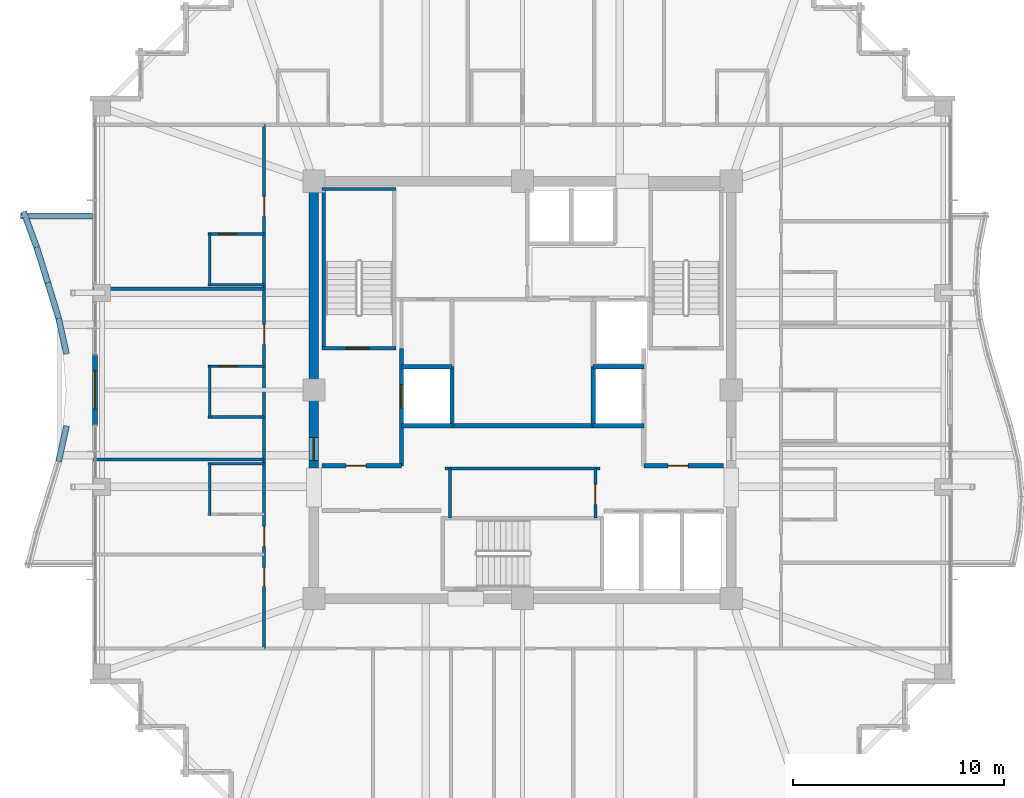
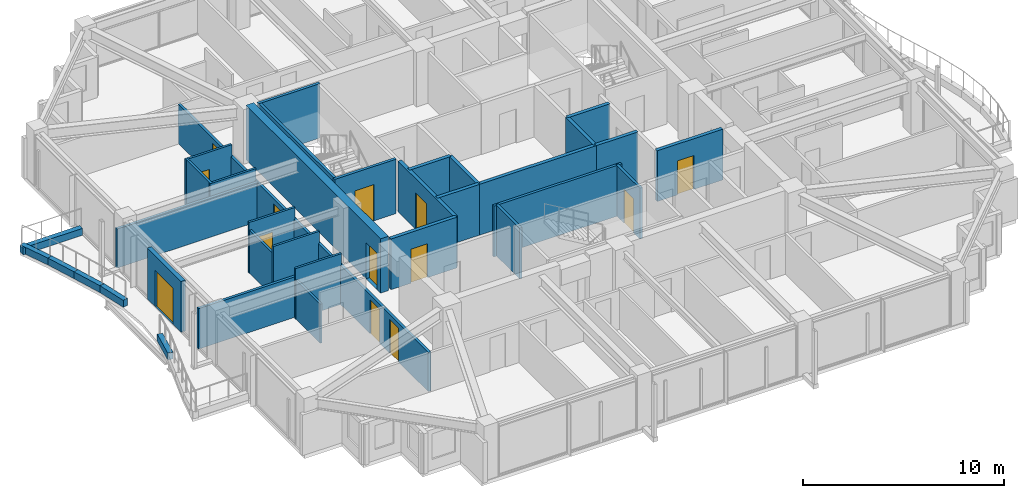
# One storey, part 30 of 35: 35 walls, 13 doors, 13 openings.
"""IFC4 building model written with IfcOpenShell, lengths in metres."""

from ifc_helpers import new_model, si_unit, direction, frame, frame_2d, origin, place, context, subcontext, project, spatial, rectangle, extrude, material, layer, layer_set, type_object, element, fill, save


model = new_model("IFC4")

# Units and contexts
model_context = context("Model", 3, precision=1e-05, world=origin(), true_north=direction((0.0, 1.0)))
body_context = subcontext(model_context, "Body", "Model", "MODEL_VIEW")
ifc_project = project(units=[si_unit("LENGTHUNIT", "METRE"), si_unit("AREAUNIT", "SQUARE_METRE"), si_unit("VOLUMEUNIT", "CUBIC_METRE"), si_unit("PLANEANGLEUNIT", "RADIAN"), si_unit("MASSUNIT", "GRAM", prefix="KILO")], contexts=[model_context])

# Site, building, storey
site_placement = place(None, origin())
site = spatial("IfcSite", under=ifc_project, at=site_placement, CompositionType="ELEMENT")
building_placement = place(site_placement, origin())
building = spatial("IfcBuilding", under=site, at=building_placement, Name="Kolvaren Belvedere", CompositionType="ELEMENT")
storey_placement = place(building_placement, frame((0.0, 0.0, 216.300048828125)))
storey = spatial("IfcBuildingStorey", under=building, at=storey_placement, Name="L63", CompositionType="ELEMENT", Elevation=216.300048828125)

# Wall, opening, door
ifc_material_1 = material(Name="Concrete C50/60", Category="concrete")
ifc_layer_1 = layer(ifc_material_1, 0.449951171875)
ifc_layer_set_1 = layer_set([ifc_layer_1], Name="Concrete C50/60")
wall_type_1 = type_object("IfcWallType", Name="CW-CORE-450", PredefinedType="SHEAR", material=ifc_layer_set_1)
wall_1_placement = place(storey_placement, frame((-9.89990234375, -3.699951171875, 0.0), z_axis=(0.0, 0.0, 1.0), x_axis=(0.0, 1.0, 0.0)))
wall_1 = element("IfcWall", 1, at=wall_1_placement, inside=storey, type_object=wall_type_1, Name="L63 West Core Shear Wall 2", PredefinedType="SHEAR", context=body_context, shape_type="SweptSolid", body=[
    extrude(rectangle(XDim=13.375, YDim=0.449951171875, at=frame_2d((6.6875, 0.0))), origin(), (0.0, 0.0, 1.0), 3.300048828125),
])
opening_1_placement = place(wall_1_placement, frame((0.35009765625, 0.0, 0.0)))
opening_1 = element("IfcOpeningElement", 2, at=opening_1_placement, cuts=wall_1, Name="Opening D-FD90", PredefinedType="OPENING", context=body_context, shape_type="SweptSolid", body=[
    extrude(rectangle(XDim=1.10009765625, YDim=2.199951171875, at=frame_2d((0.550048828125, 1.10009765625))), frame((0.0, 0.23486328125, 0.0), z_axis=(0.0, -1.0, 0.0), x_axis=(1.0, 0.0, 0.0)), (0.0, 0.0, 1.0), 0.469970703125),
])
ifc_material_2 = material(Name="Painted hollow stainless steel", Category="steel")
door_type_1 = type_object("IfcDoorType", Name="DR-FD90-1100", OperationType="NOTDEFINED", PredefinedType="DOOR", material=ifc_material_2)
door_1_placement = place(opening_1_placement, origin())
door_1 = element("IfcDoor", 3, at=door_1_placement, inside=storey, type_object=door_type_1, Name="L63 West Firefighting Lobby Fire Door", OperationType="SINGLE_SWING_LEFT", OverallHeight=2.199951171875, OverallWidth=1.10009765625, PredefinedType="DOOR", context=body_context, shape_type="SweptSolid", body=[
    extrude(rectangle(XDim=1.10009765625, YDim=2.199951171875, at=frame_2d((0.550048828125, 1.10009765625))), frame((0.0, 0.02490234375, 0.0), z_axis=(0.0, -1.0, 0.0), x_axis=(1.0, 0.0, 0.0)), (0.0, 0.0, 1.0), 0.050048828125),
])
fill(opening_1, door_1)

ifc_material_3 = material(Name="Concrete C50/60", Category="concrete")
ifc_layer_2 = layer(ifc_material_3, 0.159912109375)
ifc_layer_set_2 = layer_set([ifc_layer_2], Name="Concrete C50/60")
wall_type_2 = type_object("IfcWallType", Name="CW-STAIR-160", PredefinedType="SHEAR", material=ifc_layer_set_2)
wall_2_placement = place(storey_placement, frame((-9.52001953125, 1.969970703125, 0.0), z_axis=(0.0, 0.0, 1.0), x_axis=(1.0, 0.0, 0.0)))
wall_2 = element("IfcWall", 4, at=wall_2_placement, inside=storey, type_object=wall_type_2, Name="L63 Stair ST-1 South Shear Wall", PredefinedType="SHEAR", context=body_context, shape_type="SweptSolid", body=[
    extrude(rectangle(XDim=3.52001953125, YDim=0.159912109375, at=frame_2d((1.760009765625, 0.0))), origin(), (0.0, 0.0, 1.0), 3.300048828125),
])
opening_2_placement = place(wall_2_placement, frame((1.14990234375, 0.0, 0.0)))
opening_2 = element("IfcOpeningElement", 5, at=opening_2_placement, cuts=wall_2, Name="Opening D-FD90", PredefinedType="OPENING", context=body_context, shape_type="SweptSolid", body=[
    extrude(rectangle(XDim=1.10009765625, YDim=2.199951171875, at=frame_2d((0.550048828125, 1.10009765625))), frame((0.0, 0.08984375, 0.0), z_axis=(0.0, -1.0, 0.0), x_axis=(1.0, 0.0, 0.0)), (0.0, 0.0, 1.0), 0.179931640625),
])
door_2_placement = place(opening_2_placement, origin())
door_2 = element("IfcDoor", 6, at=door_2_placement, inside=storey, type_object=door_type_1, Name="L63 Stair ST-1 Fire Door", OperationType="SINGLE_SWING_LEFT", OverallHeight=2.199951171875, OverallWidth=1.10009765625, PredefinedType="DOOR", context=body_context, shape_type="SweptSolid", body=[
    extrude(rectangle(XDim=1.10009765625, YDim=2.199951171875, at=frame_2d((0.550048828125, 1.10009765625))), frame((0.0, 0.02490234375, 0.0), z_axis=(0.0, -1.0, 0.0), x_axis=(1.0, 0.0, 0.0)), (0.0, 0.0, 1.0), 0.050048828125),
])
fill(opening_2, door_2)

# Walls
wall_3_placement = place(storey_placement, frame((-9.52001953125, 9.530029296875, 0.0), z_axis=(0.0, 0.0, 1.0), x_axis=(1.0, 0.0, 0.0)))
element("IfcWall", 7, at=wall_3_placement, inside=storey, type_object=wall_type_2, Name="L63 Stair ST-1 North Shear Wall", PredefinedType="SHEAR", context=body_context, shape_type="SweptSolid", body=[
    extrude(rectangle(XDim=3.52001953125, YDim=0.159912109375, at=frame_2d((1.760009765625, 0.0))), origin(), (0.0, 0.0, 1.0), 3.300048828125),
])
wall_4_placement = place(storey_placement, frame((-9.429931640625, 1.969970703125, 0.0), z_axis=(0.0, 0.0, 1.0), x_axis=(0.0, 1.0, 0.0)))
element("IfcWall", 8, at=wall_4_placement, inside=storey, type_object=wall_type_2, Name="L63 Stair ST-1 West Shear Wall", PredefinedType="SHEAR", context=body_context, shape_type="SweptSolid", body=[
    extrude(rectangle(XDim=7.56005859375, YDim=0.159912109375, at=frame_2d((3.780029296875, 0.0))), origin(), (0.0, 0.0, 1.0), 3.300048828125),
])

# Wall, openings, doors
ifc_material_4 = material(Name="Gypsum fire-rated partition assembly", Category="gypsum")
ifc_layer_3 = layer(ifc_material_4, 0.14990234375)
ifc_layer_set_3 = layer_set([ifc_layer_3], Name="Gypsum fire-rated partition assembly")
wall_type_3 = type_object("IfcWallType", Name="WL-CORR-150", PredefinedType="PARTITIONING", material=ifc_layer_set_3)
wall_5_placement = place(storey_placement, frame((-12.260009765625, -12.260009765625, 0.0), z_axis=(0.0, 0.0, 1.0), x_axis=(0.0, 1.0, 0.0)))
wall_5 = element("IfcWall", 9, at=wall_5_placement, inside=storey, type_object=wall_type_3, Name="L63 West Corridor Wall", PredefinedType="PARTITIONING", context=body_context, shape_type="SweptSolid", body=[
    extrude(rectangle(XDim=24.840087890625, YDim=0.14990234375, at=frame_2d((12.419921875, 0.0))), origin(), (0.0, 0.0, 1.0), 2.368896484375),
])
opening_3_placement = place(wall_5_placement, frame((2.9443359375, 0.0, 0.0)))
opening_3 = element("IfcOpeningElement", 10, at=opening_3_placement, cuts=wall_5, Name="Opening D-INT90", PredefinedType="OPENING", context=body_context, shape_type="SweptSolid", body=[
    extrude(rectangle(XDim=0.89990234375, YDim=2.06005859375, at=frame_2d((0.449951171875, 1.030029296875))), frame((0.0, 0.0849609375, 0.0), z_axis=(0.0, -1.0, 0.0), x_axis=(1.0, 0.0, 0.0)), (0.0, 0.0, 1.0), 0.169921875),
])
opening_4_placement = place(wall_5_placement, frame((4.831787109375, 0.0, 0.0)))
opening_4 = element("IfcOpeningElement", 11, at=opening_4_placement, cuts=wall_5, Name="Opening D-FD60", PredefinedType="OPENING", context=body_context, shape_type="SweptSolid", body=[
    extrude(rectangle(XDim=0.949951171875, YDim=2.06005859375, at=frame_2d((0.47509765625, 1.030029296875))), frame((0.0, 0.0849609375, 0.0), z_axis=(0.0, -1.0, 0.0), x_axis=(1.0, 0.0, 0.0)), (0.0, 0.0, 1.0), 0.169921875),
])
opening_5_placement = place(wall_5_placement, frame((14.41845703125, 0.0, 0.0)))
opening_5 = element("IfcOpeningElement", 12, at=opening_5_placement, cuts=wall_5, Name="Opening D-FD60", PredefinedType="OPENING", context=body_context, shape_type="SweptSolid", body=[
    extrude(rectangle(XDim=0.949951171875, YDim=2.06005859375, at=frame_2d((0.47509765625, 1.030029296875))), frame((0.0, 0.0849609375, 0.0), z_axis=(0.0, -1.0, 0.0), x_axis=(1.0, 0.0, 0.0)), (0.0, 0.0, 1.0), 0.169921875),
])
opening_6_placement = place(wall_5_placement, frame((20.492431640625, 0.0, 0.0)))
opening_6 = element("IfcOpeningElement", 13, at=opening_6_placement, cuts=wall_5, Name="Opening D-FD60", PredefinedType="OPENING", context=body_context, shape_type="SweptSolid", body=[
    extrude(rectangle(XDim=0.949951171875, YDim=2.06005859375, at=frame_2d((0.47509765625, 1.030029296875))), frame((0.0, 0.0849609375, 0.0), z_axis=(0.0, -1.0, 0.0), x_axis=(1.0, 0.0, 0.0)), (0.0, 0.0, 1.0), 0.169921875),
])
ifc_material_5 = material(Name="Acoustic white-oak fire door leaf", Category="timber")
door_type_2 = type_object("IfcDoorType", Name="DR-FD60-950", OperationType="NOTDEFINED", PredefinedType="DOOR", material=ifc_material_5)
door_3_placement = place(opening_4_placement, origin())
door_3 = element("IfcDoor", 14, at=door_3_placement, inside=storey, type_object=door_type_2, Name="L63 Botanical Hospitality Suite 6311 Entry Door", OperationType="SINGLE_SWING_RIGHT", OverallHeight=2.06005859375, OverallWidth=0.949951171875, PredefinedType="DOOR", context=body_context, shape_type="SweptSolid", body=[
    extrude(rectangle(XDim=0.949951171875, YDim=2.06005859375, at=frame_2d((0.47509765625, 1.030029296875))), frame((0.0, 0.02490234375, 0.0), z_axis=(0.0, -1.0, 0.0), x_axis=(1.0, 0.0, 0.0)), (0.0, 0.0, 1.0), 0.050048828125),
])
fill(opening_4, door_3)
door_4_placement = place(opening_5_placement, origin())
door_4 = element("IfcDoor", 15, at=door_4_placement, inside=storey, type_object=door_type_2, Name="L63 King Guest Room 6312 Entry Door", OperationType="SINGLE_SWING_RIGHT", OverallHeight=2.06005859375, OverallWidth=0.949951171875, PredefinedType="DOOR", context=body_context, shape_type="SweptSolid", body=[
    extrude(rectangle(XDim=0.949951171875, YDim=2.06005859375, at=frame_2d((0.47509765625, 1.030029296875))), frame((0.0, 0.02490234375, 0.0), z_axis=(0.0, -1.0, 0.0), x_axis=(1.0, 0.0, 0.0)), (0.0, 0.0, 1.0), 0.050048828125),
])
fill(opening_5, door_4)
door_5_placement = place(opening_6_placement, origin())
door_5 = element("IfcDoor", 16, at=door_5_placement, inside=storey, type_object=door_type_2, Name="L63 Botanical Hospitality Suite 6313 Entry Door", OperationType="SINGLE_SWING_RIGHT", OverallHeight=2.06005859375, OverallWidth=0.949951171875, PredefinedType="DOOR", context=body_context, shape_type="SweptSolid", body=[
    extrude(rectangle(XDim=0.949951171875, YDim=2.06005859375, at=frame_2d((0.47509765625, 1.030029296875))), frame((0.0, 0.02490234375, 0.0), z_axis=(0.0, -1.0, 0.0), x_axis=(1.0, 0.0, 0.0)), (0.0, 0.0, 1.0), 0.050048828125),
])
fill(opening_6, door_5)
ifc_material_6 = material(Name="Stained Pacific white oak", Category="timber")
door_type_3 = type_object("IfcDoorType", Name="DR-INT-900", OperationType="NOTDEFINED", PredefinedType="DOOR", material=ifc_material_6)
door_6_placement = place(opening_3_placement, origin())
door_6 = element("IfcDoor", 17, at=door_6_placement, inside=storey, type_object=door_type_3, Name="L63 Lounge 6310 Door", OperationType="SINGLE_SWING_RIGHT", OverallHeight=2.06005859375, OverallWidth=0.89990234375, PredefinedType="DOOR", context=body_context, shape_type="SweptSolid", body=[
    extrude(rectangle(XDim=0.89990234375, YDim=2.06005859375, at=frame_2d((0.449951171875, 1.030029296875))), frame((0.0, 0.02490234375, 0.0), z_axis=(0.0, -1.0, 0.0), x_axis=(1.0, 0.0, 0.0)), (0.0, 0.0, 1.0), 0.050048828125),
])
fill(opening_3, door_6)

# Wall, opening, door
ifc_material_7 = material(Name="Insulated pale-metal facade wall assembly", Category="aluminium")
ifc_layer_4 = layer(ifc_material_7, 0.239990234375)
ifc_layer_set_4 = layer_set([ifc_layer_4], Name="Insulated pale-metal facade wall assembly")
wall_type_4 = type_object("IfcWallType", Name="WL-EXT-240", PredefinedType="STANDARD", material=ifc_layer_set_4)
wall_6_placement = place(storey_placement, frame((-20.280029296875, -1.679931640625, 0.0), z_axis=(0.0, 0.0, 1.0), x_axis=(0.0, 1.0, 0.0)))
wall_6 = element("IfcWall", 18, at=wall_6_placement, inside=storey, type_object=wall_type_4, Name="L63 West Terrace Portal Wall", PredefinedType="STANDARD", context=body_context, shape_type="SweptSolid", body=[
    extrude(rectangle(XDim=3.35986328125, YDim=0.239990234375, at=frame_2d((1.679931640625, 0.0))), origin(), (0.0, 0.0, 1.0), 3.079833984375),
])
opening_7_placement = place(wall_6_placement, frame((0.780029296875, 0.0, 0.0)))
opening_7 = element("IfcOpeningElement", 19, at=opening_7_placement, cuts=wall_6, Name="Opening DB-1800", PredefinedType="OPENING", context=body_context, shape_type="SweptSolid", body=[
    extrude(rectangle(XDim=1.800048828125, YDim=2.199951171875, at=frame_2d((0.89990234375, 1.10009765625))), frame((0.0, 0.1298828125, 0.0), z_axis=(0.0, -1.0, 0.0), x_axis=(1.0, 0.0, 0.0)), (0.0, 0.0, 1.0), 0.260009765625),
])
ifc_material_8 = material(Name="Thermally broken pale-metal aluminium & low-iron glass", Category="aluminium")
door_type_4 = type_object("IfcDoorType", Name="DR-BAL-1800", OperationType="DOUBLE_DOOR_SLIDING", PredefinedType="DOOR", material=ifc_material_8)
door_7_placement = place(opening_7_placement, origin())
door_7 = element("IfcDoor", 20, at=door_7_placement, inside=storey, type_object=door_type_4, Name="L63 West Planted Terrace Sliding Door", OperationType="DOUBLE_DOOR_SLIDING", OverallHeight=2.199951171875, OverallWidth=1.800048828125, PredefinedType="DOOR", context=body_context, shape_type="SweptSolid", body=[
    extrude(rectangle(XDim=1.800048828125, YDim=2.199951171875, at=frame_2d((0.89990234375, 1.10009765625))), frame((0.0, 0.02490234375, 0.0), z_axis=(0.0, -1.0, 0.0), x_axis=(1.0, 0.0, 0.0)), (0.0, 0.0, 1.0), 0.050048828125),
])
fill(opening_7, door_7)

# Wall
ifc_material_9 = material(Name="Gypsum acoustic partition assembly", Category="gypsum")
ifc_layer_5 = layer(ifc_material_9, 0.14990234375)
ifc_layer_set_5 = layer_set([ifc_layer_5], Name="Gypsum acoustic partition assembly")
wall_type_5 = type_object("IfcWallType", Name="WL-PART-150", PredefinedType="PARTITIONING", material=ifc_layer_set_5)
wall_7_placement = place(storey_placement, frame((-3.679931640625, -3.719970703125, 0.0), z_axis=(0.0, 0.0, 1.0), x_axis=(1.0, 0.0, 0.0)))
element("IfcWall", 21, at=wall_7_placement, inside=storey, type_object=wall_type_5, Name="L63 South Core Service North Wall", PredefinedType="PARTITIONING", context=body_context, shape_type="SweptSolid", body=[
    extrude(rectangle(XDim=7.35986328125, YDim=0.14990234375, at=frame_2d((3.679931640625, 0.0))), origin(), (0.0, 0.0, 1.0), 3.079833984375),
])

# Wall, opening, door
wall_8_placement = place(storey_placement, frame((3.449951171875, -6.080078125, 0.0), z_axis=(0.0, 0.0, 1.0), x_axis=(0.0, 1.0, 0.0)))
wall_8 = element("IfcWall", 22, at=wall_8_placement, inside=storey, type_object=wall_type_5, Name="L63 South Core Service East Wall", PredefinedType="PARTITIONING", context=body_context, shape_type="SweptSolid", body=[
    extrude(rectangle(XDim=2.360107421875, YDim=0.14990234375, at=frame_2d((1.18017578125, 0.0))), origin(), (0.0, 0.0, 1.0), 3.079833984375),
])
opening_8_placement = place(wall_8_placement, frame((0.64990234375, 0.0, 0.0)))
opening_8 = element("IfcOpeningElement", 23, at=opening_8_placement, cuts=wall_8, Name="Opening D-FD60", PredefinedType="OPENING", context=body_context, shape_type="SweptSolid", body=[
    extrude(rectangle(XDim=0.949951171875, YDim=2.06005859375, at=frame_2d((0.47509765625, 1.030029296875))), frame((0.0, 0.0849609375, 0.0), z_axis=(0.0, -1.0, 0.0), x_axis=(1.0, 0.0, 0.0)), (0.0, 0.0, 1.0), 0.169921875),
])
door_8_placement = place(opening_8_placement, origin())
door_8 = element("IfcDoor", 24, at=door_8_placement, inside=storey, type_object=door_type_2, Name="L63 Core Service Room Door", OperationType="SINGLE_SWING_LEFT", OverallHeight=2.06005859375, OverallWidth=0.949951171875, PredefinedType="DOOR", context=body_context, shape_type="SweptSolid", body=[
    extrude(rectangle(XDim=0.949951171875, YDim=2.06005859375, at=frame_2d((0.47509765625, 1.030029296875))), frame((0.0, 0.02490234375, 0.0), z_axis=(0.0, -1.0, 0.0), x_axis=(1.0, 0.0, 0.0)), (0.0, 0.0, 1.0), 0.050048828125),
])
fill(opening_8, door_8)

# Walls
wall_9_placement = place(storey_placement, frame((-3.449951171875, -6.080078125, 0.0), z_axis=(0.0, 0.0, 1.0), x_axis=(0.0, 1.0, 0.0)))
element("IfcWall", 25, at=wall_9_placement, inside=storey, type_object=wall_type_5, Name="L63 South Core Service West Wall", PredefinedType="PARTITIONING", context=body_context, shape_type="SweptSolid", body=[
    extrude(rectangle(XDim=2.360107421875, YDim=0.14990234375, at=frame_2d((1.18017578125, 0.0))), origin(), (0.0, 0.0, 1.0), 3.079833984375),
])
wall_10_placement = place(storey_placement, frame((-20.3798828125, -3.300048828125, 0.0), z_axis=(0.0, 0.0, 1.0), x_axis=(1.0, 0.0, 0.0)))
element("IfcWall", 26, at=wall_10_placement, inside=storey, type_object=wall_type_5, Name="L63 West Suite Demising Wall 2", PredefinedType="PARTITIONING", context=body_context, shape_type="SweptSolid", body=[
    extrude(rectangle(XDim=8.119873046875, YDim=0.14990234375, at=frame_2d((4.06005859375, 0.0))), origin(), (0.0, 0.0, 1.0), 2.452880859375),
])
wall_11_placement = place(storey_placement, frame((-20.3798828125, 4.800048828125, 0.0), z_axis=(0.0, 0.0, 1.0), x_axis=(1.0, 0.0, 0.0)))
element("IfcWall", 27, at=wall_11_placement, inside=storey, type_object=wall_type_5, Name="L63 West Suite Demising Wall 3", PredefinedType="PARTITIONING", context=body_context, shape_type="SweptSolid", body=[
    extrude(rectangle(XDim=8.119873046875, YDim=0.14990234375, at=frame_2d((4.06005859375, 0.0))), origin(), (0.0, 0.0, 1.0), 2.368896484375),
])
ifc_material_10 = material(Name="Precast concrete C40/50", Category="concrete")
ifc_layer_6 = layer(ifc_material_10, 0.300048828125)
ifc_layer_set_6 = layer_set([ifc_layer_6], Name="Precast concrete C40/50")
wall_type_6 = type_object("IfcWallType", Name="WL-PLANTER-300", PredefinedType="PARAPET", material=ifc_layer_set_6)
wall_12_placement = place(storey_placement, frame((-23.669921875, 8.455322265625, -0.0400390625), z_axis=(0.0, 0.0, 1.0), x_axis=(0.346292864983, -0.938126458246, 0.0)))
element("IfcWall", 28, at=wall_12_placement, inside=storey, type_object=wall_type_6, Name="L63 Precast Structural Planter Wall BAL-W-1", PredefinedType="PARAPET", context=body_context, shape_type="SweptSolid", body=[
    extrude(rectangle(XDim=1.790771484375, YDim=0.280029296875, at=frame_2d((0.8955078125, 0.0))), origin(), (0.0, 0.0, 1.0), 0.419921875),
])
wall_13_placement = place(storey_placement, frame((-23.047119140625, 6.767822265625, -0.0400390625), z_axis=(0.0, 0.0, 1.0), x_axis=(0.299624691176, -0.954057149461, 0.0)))
element("IfcWall", 29, at=wall_13_placement, inside=storey, type_object=wall_type_6, Name="L63 Precast Structural Planter Wall BAL-W-2", PredefinedType="PARAPET", context=body_context, shape_type="SweptSolid", body=[
    extrude(rectangle(XDim=1.7607421875, YDim=0.280029296875, at=frame_2d((0.88037109375, 0.0))), origin(), (0.0, 0.0, 1.0), 0.419921875),
])
wall_14_placement = place(storey_placement, frame((-22.51904296875, 5.086669921875, -0.0400390625), z_axis=(0.0, 0.0, 1.0), x_axis=(0.290840734999, -0.956771481005, 0.0)))
element("IfcWall", 30, at=wall_14_placement, inside=storey, type_object=wall_type_6, Name="L63 Precast Structural Planter Wall BAL-W-3", PredefinedType="PARAPET", context=body_context, shape_type="SweptSolid", body=[
    extrude(rectangle(XDim=1.756103515625, YDim=0.280029296875, at=frame_2d((0.8779296875, 0.0))), origin(), (0.0, 0.0, 1.0), 0.419921875),
])
for number, where, z_axis, x_axis, name in (
    (31, (-22.0048828125, 3.394287109375, -0.0400390625), (0.0, 0.0, 1.0), (0.213773077423, -0.976883345835, 0.0), "L63 Precast Structural Planter Wall BAL-W-4"),
    (32, (-21.63720703125, -1.714111328125, -0.0400390625), (0.0, 0.0, 1.0), (-0.213773077423, -0.976883345835, 0.0), "L63 Precast Structural Planter Wall BAL-W-7"),
):
    element("IfcWall", number, at=place(storey_placement, frame(where, z_axis=z_axis, x_axis=x_axis)), inside=storey, type_object=wall_type_6, Name=name, PredefinedType="PARAPET", context=body_context, shape_type="SweptSolid", body=[
        extrude(rectangle(XDim=1.719970703125, YDim=0.280029296875, at=frame_2d((0.85986328125, 0.0))), origin(), (0.0, 0.0, 1.0), 0.419921875),
    ])
wall_15_placement = place(storey_placement, frame((-20.39990234375, 8.239990234375, -0.0400390625), z_axis=(0.0, 0.0, 1.0), x_axis=(-1.0, 0.0, 0.0)))
element("IfcWall", 33, at=wall_15_placement, inside=storey, type_object=wall_type_6, Name="L63 Precast Structural Planter Wall BAL-W-22", PredefinedType="PARAPET", context=body_context, shape_type="SweptSolid", body=[
    extrude(rectangle(XDim=3.420166015625, YDim=0.280029296875, at=frame_2d((1.7099609375, 0.0))), origin(), (0.0, 0.0, 1.0), 0.419921875),
])

# Wall, opening, door
ifc_material_11 = material(Name="Concrete C50/60", Category="concrete")
ifc_layer_7 = layer(ifc_material_11, 0.199951171875)
ifc_layer_set_7 = layer_set([ifc_layer_7], Name="Concrete C50/60")
wall_type_7 = type_object("IfcWallType", Name="WL-SHAFT-200", PredefinedType="SOLIDWALL", material=ifc_layer_set_7)
wall_16_placement = place(storey_placement, frame((-9.52001953125, -3.60009765625, 0.0), z_axis=(0.0, 0.0, 1.0), x_axis=(1.0, 0.0, 0.0)))
wall_16 = element("IfcWall", 34, at=wall_16_placement, inside=storey, type_object=wall_type_7, Name="L63 West FSAE Lobby South Wall", PredefinedType="SOLIDWALL", context=body_context, shape_type="SweptSolid", body=[
    extrude(rectangle(XDim=3.77001953125, YDim=0.199951171875, at=frame_2d((1.885009765625, 0.0))), origin(), (0.0, 0.0, 1.0), 3.079833984375),
])
opening_9_placement = place(wall_16_placement, frame((1.14990234375, 0.0, 0.0)))
opening_9 = element("IfcOpeningElement", 35, at=opening_9_placement, cuts=wall_16, Name="Opening D-FD60", PredefinedType="OPENING", context=body_context, shape_type="SweptSolid", body=[
    extrude(rectangle(XDim=0.949951171875, YDim=2.06005859375, at=frame_2d((0.47509765625, 1.030029296875))), frame((0.0, 0.10986328125, 0.0), z_axis=(0.0, -1.0, 0.0), x_axis=(1.0, 0.0, 0.0)), (0.0, 0.0, 1.0), 0.219970703125),
])
door_9_placement = place(opening_9_placement, origin())
door_9 = element("IfcDoor", 36, at=door_9_placement, inside=storey, type_object=door_type_2, Name="L63 SW Lobby Fire Door", OperationType="SINGLE_SWING_LEFT", OverallHeight=2.06005859375, OverallWidth=0.949951171875, PredefinedType="DOOR", context=body_context, shape_type="SweptSolid", body=[
    extrude(rectangle(XDim=0.949951171875, YDim=2.06005859375, at=frame_2d((0.47509765625, 1.030029296875))), frame((0.0, 0.02490234375, 0.0), z_axis=(0.0, -1.0, 0.0), x_axis=(1.0, 0.0, 0.0)), (0.0, 0.0, 1.0), 0.050048828125),
])
fill(opening_9, door_9)

wall_17_placement = place(storey_placement, frame((-5.75, -3.60009765625, 0.0), z_axis=(0.0, 0.0, 1.0), x_axis=(0.0, 1.0, 0.0)))
wall_17 = element("IfcWall", 37, at=wall_17_placement, inside=storey, type_object=wall_type_7, Name="L63 FSAE FS1 Landing Wall", PredefinedType="SOLIDWALL", context=body_context, shape_type="SweptSolid", body=[
    extrude(rectangle(XDim=5.570068359375, YDim=0.199951171875, at=frame_2d((2.78515625, 0.0))), origin(), (0.0, 0.0, 1.0), 3.079833984375),
])
opening_10_placement = place(wall_17_placement, frame((2.75, 0.0, 0.0)))
opening_10 = element("IfcOpeningElement", 38, at=opening_10_placement, cuts=wall_17, Name="Opening LD-11", PredefinedType="OPENING", context=body_context, shape_type="SweptSolid", body=[
    extrude(rectangle(XDim=1.10009765625, YDim=2.199951171875, at=frame_2d((0.550048828125, 1.10009765625))), frame((0.0, 0.10986328125, 0.0), z_axis=(0.0, -1.0, 0.0), x_axis=(1.0, 0.0, 0.0)), (0.0, 0.0, 1.0), 0.219970703125),
])
ifc_material_12 = material(Name="Brushed stainless steel", Category="steel")
door_type_5 = type_object("IfcDoorType", Name="DR-LIFT-1100", OperationType="DOUBLE_DOOR_SLIDING", PredefinedType="DOOR", material=ifc_material_12)
door_10_placement = place(opening_10_placement, origin())
door_10 = element("IfcDoor", 39, at=door_10_placement, inside=storey, type_object=door_type_5, Name="L63 Firefighting Lift FS1 Landing Door", OperationType="DOUBLE_DOOR_SLIDING", OverallHeight=2.199951171875, OverallWidth=1.10009765625, PredefinedType="DOOR", context=body_context, shape_type="SweptSolid", body=[
    extrude(rectangle(XDim=1.10009765625, YDim=2.199951171875, at=frame_2d((0.550048828125, 1.10009765625))), frame((0.0, 0.02490234375, 0.0), z_axis=(0.0, -1.0, 0.0), x_axis=(1.0, 0.0, 0.0)), (0.0, 0.0, 1.0), 0.050048828125),
])
fill(opening_10, door_10)

# Walls
wall_18_placement = place(storey_placement, frame((-3.35009765625, -1.699951171875, 0.0), z_axis=(0.0, 0.0, 1.0), x_axis=(0.0, 1.0, 0.0)))
element("IfcWall", 40, at=wall_18_placement, inside=storey, type_object=wall_type_7, Name="L63 FSAE FS1 Back Wall", PredefinedType="SOLIDWALL", context=body_context, shape_type="SweptSolid", body=[
    extrude(rectangle(XDim=2.800048828125, YDim=0.199951171875, at=frame_2d((1.39990234375, 0.0))), origin(), (0.0, 0.0, 1.0), 3.079833984375),
])
for number, where, z_axis, x_axis, name in (
    (41, (-5.75, -1.699951171875, 0.0), (0.0, 0.0, 1.0), (1.0, 0.0, 0.0), "L63 FSAE FS1 South Wall"),
    (42, (-5.75, 1.10009765625, 0.0), (0.0, 0.0, 1.0), (1.0, 0.0, 0.0), "L63 FSAE FS1 North Wall"),
):
    element("IfcWall", number, at=place(storey_placement, frame(where, z_axis=z_axis, x_axis=x_axis)), inside=storey, type_object=wall_type_7, Name=name, PredefinedType="SOLIDWALL", context=body_context, shape_type="SweptSolid", body=[
        extrude(rectangle(XDim=2.39990234375, YDim=0.199951171875, at=frame_2d((1.199951171875, 0.0))), origin(), (0.0, 0.0, 1.0), 3.079833984375),
    ])

# Wall, opening, door
wall_19_placement = place(storey_placement, frame((5.75, -3.60009765625, 0.0), z_axis=(0.0, 0.0, 1.0), x_axis=(1.0, 0.0, 0.0)))
wall_19 = element("IfcWall", 43, at=wall_19_placement, inside=storey, type_object=wall_type_7, Name="L63 East FSAE Lobby South Wall", PredefinedType="SOLIDWALL", context=body_context, shape_type="SweptSolid", body=[
    extrude(rectangle(XDim=3.77001953125, YDim=0.199951171875, at=frame_2d((1.885009765625, 0.0))), origin(), (0.0, 0.0, 1.0), 3.079833984375),
])
opening_11_placement = place(wall_19_placement, frame((1.14990234375, 0.0, 0.0)))
opening_11 = element("IfcOpeningElement", 44, at=opening_11_placement, cuts=wall_19, Name="Opening D-FD60", PredefinedType="OPENING", context=body_context, shape_type="SweptSolid", body=[
    extrude(rectangle(XDim=0.949951171875, YDim=2.06005859375, at=frame_2d((0.47509765625, 1.030029296875))), frame((0.0, 0.10986328125, 0.0), z_axis=(0.0, -1.0, 0.0), x_axis=(1.0, 0.0, 0.0)), (0.0, 0.0, 1.0), 0.219970703125),
])
door_11_placement = place(opening_11_placement, origin())
door_11 = element("IfcDoor", 45, at=door_11_placement, inside=storey, type_object=door_type_2, Name="L63 SE Lift Lobby Fire Door", OperationType="SINGLE_SWING_RIGHT", OverallHeight=2.06005859375, OverallWidth=0.949951171875, PredefinedType="DOOR", context=body_context, shape_type="SweptSolid", body=[
    extrude(rectangle(XDim=0.949951171875, YDim=2.06005859375, at=frame_2d((0.47509765625, 1.030029296875))), frame((0.0, 0.02490234375, 0.0), z_axis=(0.0, -1.0, 0.0), x_axis=(1.0, 0.0, 0.0)), (0.0, 0.0, 1.0), 0.050048828125),
])
fill(opening_11, door_11)

# Walls
wall_20_placement = place(storey_placement, frame((3.35009765625, -1.699951171875, 0.0), z_axis=(0.0, 0.0, 1.0), x_axis=(0.0, 1.0, 0.0)))
element("IfcWall", 46, at=wall_20_placement, inside=storey, type_object=wall_type_7, Name="L63 FSAE FS2 Back Wall", PredefinedType="SOLIDWALL", context=body_context, shape_type="SweptSolid", body=[
    extrude(rectangle(XDim=2.800048828125, YDim=0.199951171875, at=frame_2d((1.39990234375, 0.0))), origin(), (0.0, 0.0, 1.0), 3.079833984375),
])
for number, where, z_axis, x_axis, name in (
    (47, (3.35009765625, -1.699951171875, 0.0), (0.0, 0.0, 1.0), (1.0, 0.0, 0.0), "L63 FSAE FS2 South Wall"),
    (48, (3.35009765625, 1.10009765625, 0.0), (0.0, 0.0, 1.0), (1.0, 0.0, 0.0), "L63 FSAE FS2 North Wall"),
):
    element("IfcWall", number, at=place(storey_placement, frame(where, z_axis=z_axis, x_axis=x_axis)), inside=storey, type_object=wall_type_7, Name=name, PredefinedType="SOLIDWALL", context=body_context, shape_type="SweptSolid", body=[
        extrude(rectangle(XDim=2.39990234375, YDim=0.199951171875, at=frame_2d((1.199951171875, 0.0))), origin(), (0.0, 0.0, 1.0), 3.079833984375),
    ])
wall_21_placement = place(storey_placement, frame((-3.35009765625, -1.699951171875, 0.0), z_axis=(0.0, 0.0, 1.0), x_axis=(1.0, 0.0, 0.0)))
element("IfcWall", 49, at=wall_21_placement, inside=storey, type_object=wall_type_7, Name="L63 Central Core Room South Wall", PredefinedType="SOLIDWALL", context=body_context, shape_type="SweptSolid", body=[
    extrude(rectangle(XDim=6.7001953125, YDim=0.199951171875, at=frame_2d((3.35009765625, 0.0))), origin(), (0.0, 0.0, 1.0), 3.079833984375),
])
ifc_material_13 = material(Name="Moisture-resistant gypsum partition", Category="gypsum")
ifc_layer_8 = layer(ifc_material_13, 0.125)
ifc_layer_set_8 = layer_set([ifc_layer_8], Name="Moisture-resistant gypsum partition")
wall_type_8 = type_object("IfcWallType", Name="WL-WET-125", PredefinedType="PARTITIONING", material=ifc_layer_set_8)
wall_22_placement = place(storey_placement, frame((-14.8349609375, -5.955078125, 0.0), z_axis=(0.0, 0.0, 1.0), x_axis=(0.0, 1.0, 0.0)))
element("IfcWall", 50, at=wall_22_placement, inside=storey, type_object=wall_type_8, Name="L63 Bathroom Partition PW-L63-BTH-11-V", PredefinedType="PARTITIONING", context=body_context, shape_type="SweptSolid", body=[
    extrude(rectangle(XDim=2.52001953125, YDim=0.125, at=frame_2d((1.260009765625, 0.0))), origin(), (0.0, 0.0, 1.0), 2.368896484375),
])
wall_23_placement = place(storey_placement, frame((-14.9150390625, -3.4951171875, 0.0), z_axis=(0.0, 0.0, 1.0), x_axis=(1.0, 0.0, 0.0)))
element("IfcWall", 51, at=wall_23_placement, inside=storey, type_object=wall_type_8, Name="L63 Bathroom Partition PW-L63-BTH-11-S", PredefinedType="PARTITIONING", context=body_context, shape_type="SweptSolid", body=[
    extrude(rectangle(XDim=2.64013671875, YDim=0.125, at=frame_2d((1.320068359375, 0.0))), origin(), (0.0, 0.0, 1.0), 3.079833984375),
])

# Wall, opening, door
wall_24_placement = place(storey_placement, frame((-14.9150390625, 1.116943359375, 0.0), z_axis=(0.0, 0.0, 1.0), x_axis=(1.0, 0.0, 0.0)))
wall_24 = element("IfcWall", 52, at=wall_24_placement, inside=storey, type_object=wall_type_8, Name="L63 Bathroom Partition PW-L63-BTH-12-N", PredefinedType="PARTITIONING", context=body_context, shape_type="SweptSolid", body=[
    extrude(rectangle(XDim=2.64013671875, YDim=0.125, at=frame_2d((1.320068359375, 0.0))), origin(), (0.0, 0.0, 1.0), 3.079833984375),
])
opening_12_placement = place(wall_24_placement, frame((0.5, 0.0, 0.0)))
opening_12 = element("IfcOpeningElement", 53, at=opening_12_placement, cuts=wall_24, Name="Opening D-BTH85", PredefinedType="OPENING", context=body_context, shape_type="SweptSolid", body=[
    extrude(rectangle(XDim=0.85009765625, YDim=2.030029296875, at=frame_2d((0.425048828125, 1.01513671875))), frame((0.0, 0.072509765625, 0.0), z_axis=(0.0, -1.0, 0.0), x_axis=(1.0, 0.0, 0.0)), (0.0, 0.0, 1.0), 0.14501953125),
])
ifc_material_14 = material(Name="Moisture-sealed Pacific white oak", Category="timber")
door_type_6 = type_object("IfcDoorType", Name="DR-BATH-850", OperationType="NOTDEFINED", PredefinedType="DOOR", material=ifc_material_14)
door_12_placement = place(opening_12_placement, origin())
door_12 = element("IfcDoor", 54, at=door_12_placement, inside=storey, type_object=door_type_6, Name="L63 En-Suite Bathroom 6312 Door", OperationType="SINGLE_SWING_LEFT", OverallHeight=2.030029296875, OverallWidth=0.85009765625, PredefinedType="DOOR", context=body_context, shape_type="SweptSolid", body=[
    extrude(rectangle(XDim=0.85009765625, YDim=2.030029296875, at=frame_2d((0.425048828125, 1.01513671875))), frame((0.0, 0.02490234375, 0.0), z_axis=(0.0, -1.0, 0.0), x_axis=(1.0, 0.0, 0.0)), (0.0, 0.0, 1.0), 0.050048828125),
])
fill(opening_12, door_12)

# Walls
wall_25_placement = place(storey_placement, frame((-14.8349609375, -1.343017578125, 0.0), z_axis=(0.0, 0.0, 1.0), x_axis=(0.0, 1.0, 0.0)))
element("IfcWall", 55, at=wall_25_placement, inside=storey, type_object=wall_type_8, Name="L63 Bathroom Partition PW-L63-BTH-12-V", PredefinedType="PARTITIONING", context=body_context, shape_type="SweptSolid", body=[
    extrude(rectangle(XDim=2.52001953125, YDim=0.125, at=frame_2d((1.260009765625, 0.0))), origin(), (0.0, 0.0, 1.0), 2.60498046875),
])
wall_26_placement = place(storey_placement, frame((-14.9150390625, -1.282958984375, 0.0), z_axis=(0.0, 0.0, 1.0), x_axis=(1.0, 0.0, 0.0)))
element("IfcWall", 56, at=wall_26_placement, inside=storey, type_object=wall_type_8, Name="L63 Bathroom Partition PW-L63-BTH-12-S", PredefinedType="PARTITIONING", context=body_context, shape_type="SweptSolid", body=[
    extrude(rectangle(XDim=2.64013671875, YDim=0.125, at=frame_2d((1.320068359375, 0.0))), origin(), (0.0, 0.0, 1.0), 3.079833984375),
])

# Wall, opening, door
wall_27_placement = place(storey_placement, frame((-14.9150390625, 7.39501953125, 0.0), z_axis=(0.0, 0.0, 1.0), x_axis=(1.0, 0.0, 0.0)))
wall_27 = element("IfcWall", 57, at=wall_27_placement, inside=storey, type_object=wall_type_8, Name="L63 Bathroom Partition PW-L63-BTH-13-N", PredefinedType="PARTITIONING", context=body_context, shape_type="SweptSolid", body=[
    extrude(rectangle(XDim=2.64013671875, YDim=0.125, at=frame_2d((1.320068359375, 0.0))), origin(), (0.0, 0.0, 1.0), 3.079833984375),
])
opening_13_placement = place(wall_27_placement, frame((0.5, 0.0, 0.0)))
opening_13 = element("IfcOpeningElement", 58, at=opening_13_placement, cuts=wall_27, Name="Opening D-BTH85", PredefinedType="OPENING", context=body_context, shape_type="SweptSolid", body=[
    extrude(rectangle(XDim=0.85009765625, YDim=2.030029296875, at=frame_2d((0.425048828125, 1.01513671875))), frame((0.0, 0.072509765625, 0.0), z_axis=(0.0, -1.0, 0.0), x_axis=(1.0, 0.0, 0.0)), (0.0, 0.0, 1.0), 0.14501953125),
])
door_13_placement = place(opening_13_placement, origin())
door_13 = element("IfcDoor", 59, at=door_13_placement, inside=storey, type_object=door_type_6, Name="L63 En-Suite Bathroom 6313 Door", OperationType="SINGLE_SWING_LEFT", OverallHeight=2.030029296875, OverallWidth=0.85009765625, PredefinedType="DOOR", context=body_context, shape_type="SweptSolid", body=[
    extrude(rectangle(XDim=0.85009765625, YDim=2.030029296875, at=frame_2d((0.425048828125, 1.01513671875))), frame((0.0, 0.02490234375, 0.0), z_axis=(0.0, -1.0, 0.0), x_axis=(1.0, 0.0, 0.0)), (0.0, 0.0, 1.0), 0.050048828125),
])
fill(opening_13, door_13)

# Walls
wall_28_placement = place(storey_placement, frame((-14.8349609375, 4.93505859375, 0.0), z_axis=(0.0, 0.0, 1.0), x_axis=(0.0, 1.0, 0.0)))
element("IfcWall", 60, at=wall_28_placement, inside=storey, type_object=wall_type_8, Name="L63 Bathroom Partition PW-L63-BTH-13-V", PredefinedType="PARTITIONING", context=body_context, shape_type="SweptSolid", body=[
    extrude(rectangle(XDim=2.52001953125, YDim=0.125, at=frame_2d((1.260009765625, 0.0))), origin(), (0.0, 0.0, 1.0), 3.079833984375),
])
wall_29_placement = place(storey_placement, frame((-14.9150390625, 4.9951171875, 0.0), z_axis=(0.0, 0.0, 1.0), x_axis=(1.0, 0.0, 0.0)))
element("IfcWall", 61, at=wall_29_placement, inside=storey, type_object=wall_type_8, Name="L63 Bathroom Partition PW-L63-BTH-13-S", PredefinedType="PARTITIONING", context=body_context, shape_type="SweptSolid", body=[
    extrude(rectangle(XDim=2.64013671875, YDim=0.125, at=frame_2d((1.320068359375, 0.0))), origin(), (0.0, 0.0, 1.0), 3.079833984375),
])

save(model, "model.ifc")
